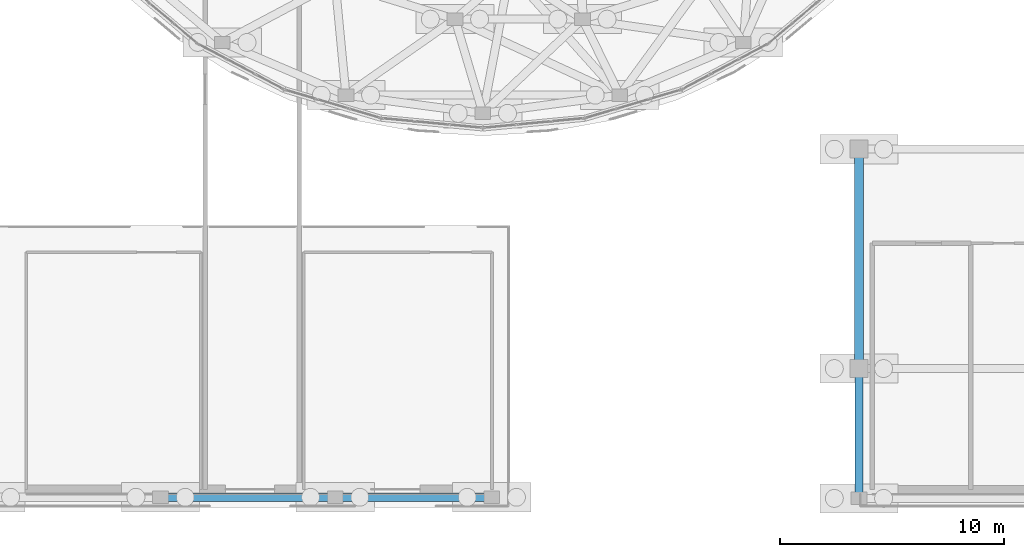
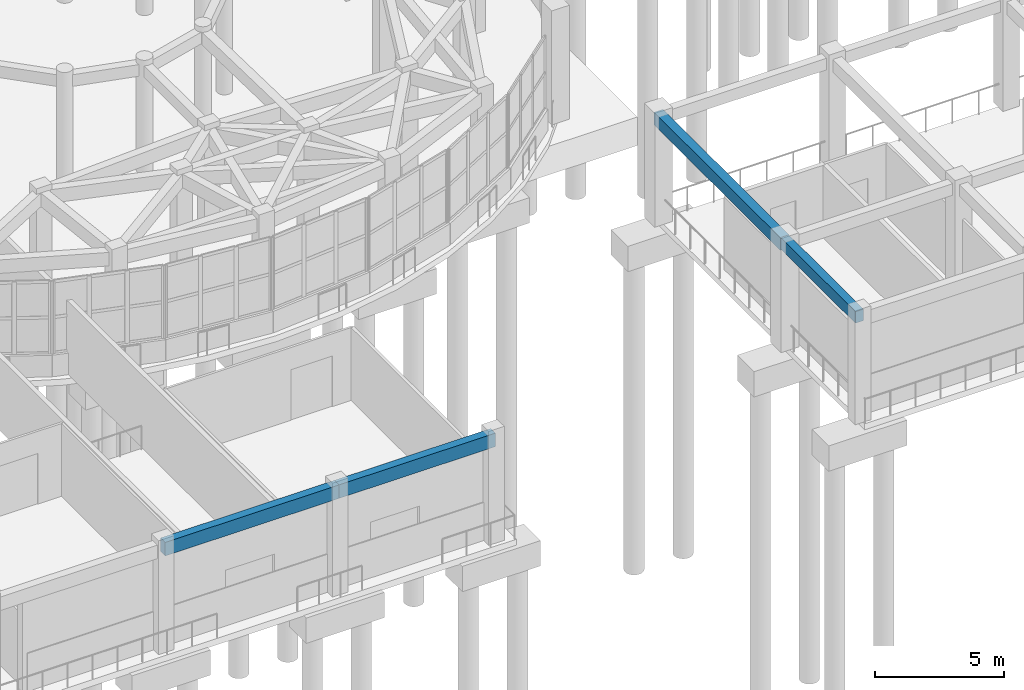
# One storey, part 7 of 96: 4 beams.
"""IFC4 building model written with IfcOpenShell, lengths in metres."""

from ifc_helpers import new_model, si_unit, direction, frame, origin, origin_2d, place, context, subcontext, project, spatial, rectangle, extrude, material, material_profile, profile_set, type_object, element, save


model = new_model("IFC4")

# Units and contexts
model_context = context("Model", 3, precision=1e-05, world=origin(), true_north=direction((0.0, 1.0)))
body_context = subcontext(model_context, "Body", "Model", "MODEL_VIEW")
ifc_project = project(units=[si_unit("LENGTHUNIT", "METRE"), si_unit("AREAUNIT", "SQUARE_METRE"), si_unit("VOLUMEUNIT", "CUBIC_METRE"), si_unit("PLANEANGLEUNIT", "RADIAN"), si_unit("MASSUNIT", "GRAM", prefix="KILO")], contexts=[model_context])

# Site, building, storey
site_placement = place(None, origin())
site = spatial("IfcSite", under=ifc_project, at=site_placement, CompositionType="ELEMENT")
building_placement = place(site_placement, origin())
building = spatial("IfcBuilding", under=site, at=building_placement, Name="Pelvatis Terrace Science Centre", CompositionType="ELEMENT")
storey_placement = place(building_placement, origin())
storey = spatial("IfcBuildingStorey", under=building, at=storey_placement, Name="L00", CompositionType="ELEMENT", Elevation=0.0)

# Beams
ifc_material_1 = material(Name="Concrete C35/45", Category="concrete")
ifc_material_profile_1 = material_profile(ifc_material_1, rectangle(XDim=0.360107421875, YDim=0.550048828125, at=origin_2d()), Name="RC-BM 360x550")
ifc_profile_set_1 = profile_set([ifc_material_profile_1], Name="Concrete C35/45")
beam_type_1 = type_object("IfcBeamType", Name="BM-RC-360x550", PredefinedType="BEAM", material=ifc_profile_set_1)
beam_1_placement = place(storey_placement, frame((62.39990234375, 0.39990234375, 4.864990234375), z_axis=(0.0, 1.0, 0.0), x_axis=(-1.0, 0.0, 0.0)))
element("IfcBeam", 1, at=beam_1_placement, inside=storey, type_object=beam_type_1, Name="Beam BM-L00-2394", PredefinedType="BEAM", context=body_context, shape_type="SweptSolid", body=[
    extrude(rectangle(XDim=0.360107421875, YDim=0.550048828125, at=origin_2d()), origin(), (0.0, 0.0, 1.0), 5.800048828125),
])
ifc_material_2 = material(Name="Concrete C35/45", Category="concrete")
ifc_material_profile_2 = material_profile(ifc_material_2, rectangle(XDim=0.39990234375, YDim=0.60009765625, at=origin_2d()), Name="RC-BM 400x600")
ifc_profile_set_2 = profile_set([ifc_material_profile_2], Name="Concrete C35/45")
beam_type_2 = type_object("IfcBeamType", Name="BM-RC-400x600", PredefinedType="BEAM", material=ifc_profile_set_2)
beam_2_placement = place(storey_placement, frame((62.39990234375, 6.199951171875, 4.840087890625), z_axis=(0.0, 1.0, 0.0), x_axis=(-1.0, 0.0, 0.0)))
element("IfcBeam", 2, at=beam_2_placement, inside=storey, type_object=beam_type_2, Name="Beam BM-L00-2396", PredefinedType="BEAM", context=body_context, shape_type="SweptSolid", body=[
    extrude(rectangle(XDim=0.39990234375, YDim=0.60009765625, at=origin_2d()), origin(), (0.0, 0.0, 1.0), 9.800048828125),
])
ifc_material_3 = material(Name="Concrete C35/45", Category="concrete")
ifc_material_profile_3 = material_profile(ifc_material_3, rectangle(XDim=0.360107421875, YDim=0.639892578125, at=origin_2d()), Name="RC-SPN 360x640")
ifc_profile_set_3 = profile_set([ifc_material_profile_3], Name="Concrete C35/45")
beam_type_3 = type_object("IfcBeamType", Name="SPN-RC-360x640", PredefinedType="SPANDREL", material=ifc_profile_set_3)
beam_3_placement = place(storey_placement, frame((31.199951171875, 0.449951171875, 4.820068359375), z_axis=(1.0, 0.0, 0.0), x_axis=(0.0, 1.0, 0.0)))
element("IfcBeam", 3, at=beam_3_placement, inside=storey, type_object=beam_type_3, Name="Spandrel SP-L00-2520", PredefinedType="SPANDREL", context=body_context, shape_type="SweptSolid", body=[
    extrude(rectangle(XDim=0.360107421875, YDim=0.639892578125, at=origin_2d()), origin(), (0.0, 0.0, 1.0), 7.800048828125),
])
beam_4_placement = place(storey_placement, frame((39.0, 0.449951171875, 4.820068359375), z_axis=(1.0, 0.0, 0.0), x_axis=(0.0, 1.0, 0.0)))
element("IfcBeam", 4, at=beam_4_placement, inside=storey, type_object=beam_type_3, Name="Spandrel SP-L00-2521", PredefinedType="SPANDREL", context=body_context, shape_type="SweptSolid", body=[
    extrude(rectangle(XDim=0.360107421875, YDim=0.639892578125, at=origin_2d()), origin(), (0.0, 0.0, 1.0), 7.0),
])

save(model, "model.ifc")
